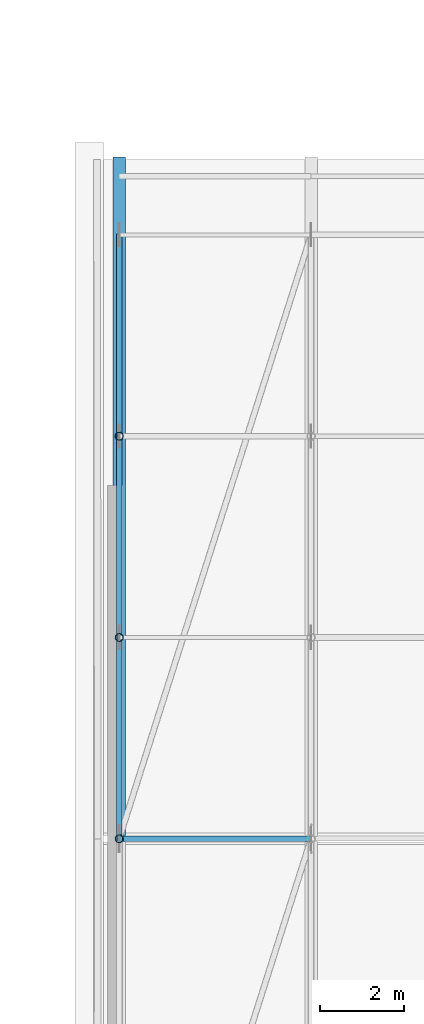
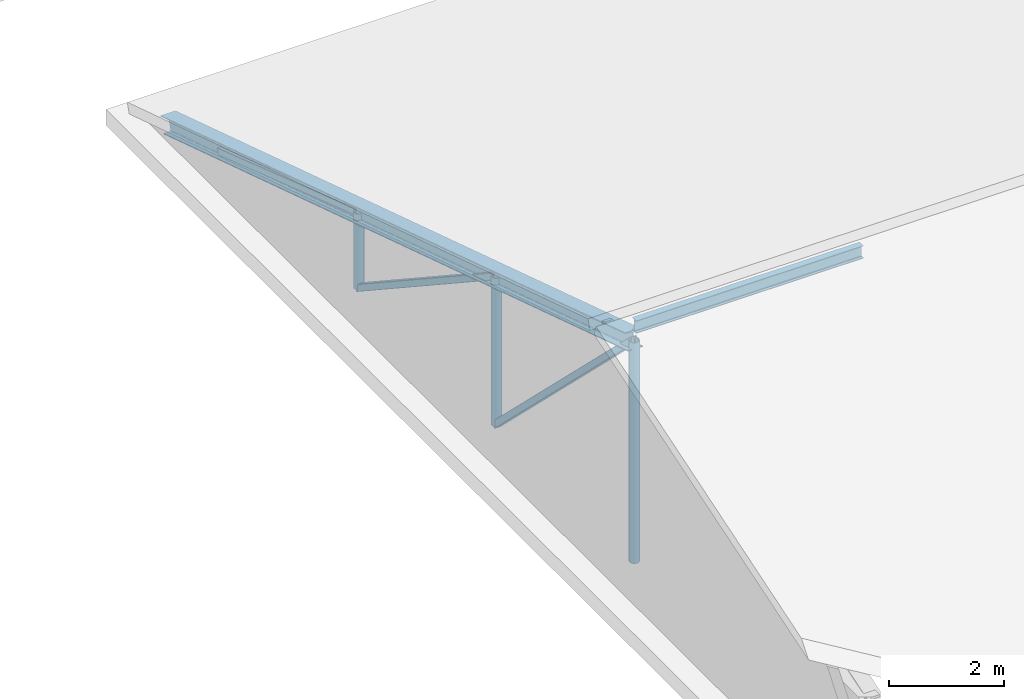
# One storey, part 23 of 134: 8 members.
"""IFC4 building model written with IfcOpenShell, lengths in metres."""

import ifcopenshell
import ifcopenshell.guid

model = None  # the IFC model being written
_history = None  # IfcOwnerHistory: only IFC2X3 demands one
_inside = {}  # id of a spatial element -> (the spatial element, [elements in it])
_under = {}  # id of a project, library or spatial element -> (it, [spatial elements below it])
_declared = {}  # id of a project -> (the project, [libraries it declares])
_typed = {}  # id of a type object -> (the type object, [elements of that type])
_made_of = {}  # id of a material, layer set ... -> (it, [elements and type objects made of it])


def new_model(schema):
    """Start an empty IFC model of exactly this schema.

    Asked for "IFC4X3", IfcOpenShell would pick the latest addendum, in which some entities
    have other attributes; the version numbers below select the first issue.
    IFC2X3 requires an IfcOwnerHistory on every rooted entity: one is made here for all.
    """
    global model, _history
    if schema == "IFC4X3":
        model = ifcopenshell.file(schema_version=(4, 3, 0, 0))
    else:
        model = ifcopenshell.file(schema=schema)
    _inside.clear()
    _under.clear()
    _declared.clear()
    _typed.clear()
    _made_of.clear()
    _history = None
    if model.schema == "IFC2X3":
        org = make("IfcOrganization", Name="unknown")
        user = make(
            "IfcPersonAndOrganization",
            ThePerson=make("IfcPerson", FamilyName="unknown"),
            TheOrganization=org,
        )
        app = make(
            "IfcApplication",
            ApplicationDeveloper=org,
            Version="unknown",
            ApplicationFullName="unknown",
            ApplicationIdentifier="unknown",
        )
        _history = make(
            "IfcOwnerHistory",
            OwningUser=user,
            OwningApplication=app,
            ChangeAction="ADDED",
            CreationDate=0,
        )
    return model


def make(cls, **values):
    """One entity of the class cls with the attributes given. An attribute that is None is left unset."""
    return model.create_entity(
        cls, **{name: value for name, value in values.items() if value is not None}
    )


def rooted(cls, **values):
    """An entity with a GlobalId (a new one), such as an element, a storey or a relation."""
    return make(cls, GlobalId=ifcopenshell.guid.new(), OwnerHistory=_history, **values)


def si_unit(unit_type, name, prefix=None):
    """IfcSIUnit, for example si_unit("LENGTHUNIT", "METRE", prefix="MILLI")."""
    return make("IfcSIUnit", UnitType=unit_type, Prefix=prefix, Name=name)


def assignment(units):
    """IfcUnitAssignment: the units of a project."""
    return None if units is None else make("IfcUnitAssignment", Units=units)


def point(xyz):
    """IfcCartesianPoint."""
    return None if xyz is None else make("IfcCartesianPoint", Coordinates=xyz)


def direction(xyz):
    """IfcDirection."""
    return None if xyz is None else make("IfcDirection", DirectionRatios=xyz)


def frame(location, z_axis=None, x_axis=None):
    """IfcAxis2Placement3D, a coordinate frame: its origin and axes. An axis left out is left unset."""
    return make(
        "IfcAxis2Placement3D",
        Location=point(location),
        Axis=direction(z_axis),
        RefDirection=direction(x_axis),
    )


def frame_2d(location, x_axis=None):
    """IfcAxis2Placement2D, a coordinate frame in the plane: its origin and x axis."""
    return make(
        "IfcAxis2Placement2D", Location=point(location), RefDirection=direction(x_axis)
    )


def origin():
    """The frame at (0, 0, 0) with its axes left unset."""
    return frame((0.0, 0.0, 0.0))


def origin_2d():
    """The frame at (0, 0) in the plane with its x axis left unset."""
    return frame_2d((0.0, 0.0))


def place(relative_to, where):
    """IfcLocalPlacement: puts the frame where relative to a parent placement (None: the world)."""
    return make(
        "IfcLocalPlacement", PlacementRelTo=relative_to, RelativePlacement=where
    )


def context(
    kind, dimensions, precision=None, world=None, true_north=None, identifier=None
):
    """IfcGeometricRepresentationContext, for example the 3D "Model" context."""
    return make(
        "IfcGeometricRepresentationContext",
        ContextIdentifier=identifier,
        ContextType=kind,
        CoordinateSpaceDimension=dimensions,
        Precision=precision,
        WorldCoordinateSystem=world,
        TrueNorth=true_north,
    )


def subcontext(parent, identifier, kind, view, scale=None):
    """IfcGeometricRepresentationSubContext, for example "Body" below "Model"."""
    return make(
        "IfcGeometricRepresentationSubContext",
        ContextIdentifier=identifier,
        ContextType=kind,
        ParentContext=parent,
        TargetScale=scale,
        TargetView=view,
    )


def project(units=None, contexts=None):
    """IfcProject with its units and contexts."""
    return rooted(
        "IfcProject",
        Name="project",
        RepresentationContexts=contexts,
        UnitsInContext=assignment(units),
    )


def spatial(cls, under=None, at=None, **own):
    """A site, building, storey or space (cls), placed at a placement, below another one or the project."""
    s = rooted(cls, ObjectPlacement=at, **own)
    if under is not None:
        _under.setdefault(under.id(), (under, []))[1].append(s)
    return s


def profile(cls, at=None, kind="AREA", **sizes):
    """A parametric profile (cls). Its sizes go by their IFC names, for example OverallWidth=200.0."""
    return make(cls, ProfileType=kind, Position=at, **sizes)


def hollow_rectangle(**sizes):
    """IfcRectangleHollowProfileDef."""
    return profile("IfcRectangleHollowProfileDef", **sizes)


def hollow_circle(**sizes):
    """IfcCircleHollowProfileDef."""
    return profile("IfcCircleHollowProfileDef", **sizes)


def i_section(**sizes):
    """IfcIShapeProfileDef."""
    return profile("IfcIShapeProfileDef", **sizes)


def extrude(swept, where, along, depth):
    """IfcExtrudedAreaSolid: the profile swept, set in the frame where, extruded along a direction by depth."""
    return make(
        "IfcExtrudedAreaSolid",
        SweptArea=swept,
        Position=where,
        ExtrudedDirection=direction(along),
        Depth=depth,
    )


def shape(context_of_items, identifier, shape_type, items):
    """IfcShapeRepresentation: the items that make up one representation, for example the "Body"."""
    return make(
        "IfcShapeRepresentation",
        ContextOfItems=context_of_items,
        RepresentationIdentifier=identifier,
        RepresentationType=shape_type,
        Items=items,
    )


def material(Name=None, Category=None):
    """IfcMaterial."""
    return make("IfcMaterial", Name=Name, Category=Category)


def material_profile(
    of_material, cross_section, Name=None, Category=None, Priority=None
):
    """IfcMaterialProfile: a cross section and its material."""
    return make(
        "IfcMaterialProfile",
        Name=Name,
        Material=of_material,
        Profile=cross_section,
        Priority=Priority,
        Category=Category,
    )


def profile_set(profiles, Name=None, composite=None):
    """IfcMaterialProfileSet."""
    return make(
        "IfcMaterialProfileSet",
        Name=Name,
        MaterialProfiles=profiles,
        CompositeProfile=composite,
    )


def made_of(thing, what):
    """Note that an element or type object is made of a material, layer set ...; save() writes the relation."""
    if what is not None:
        _made_of.setdefault(what.id(), (what, []))[1].append(thing)
    return thing


def type_object(cls, material=None, **own):
    """A type object (cls), such as IfcWallType, which elements share."""
    return made_of(rooted(cls, **own), material)


def element(
    cls,
    number,
    at=None,
    inside=None,
    cuts=None,
    type_object=None,
    material=None,
    context=None,
    identifier="Body",
    shape_type=None,
    held_by="IfcProductDefinitionShape",
    body=None,
    shapes=None,
    **own,
):
    """One element of the class cls, such as IfcWall. Its Tag is "e" and its number.

    at: its placement. inside: the storey or other place that contains it. cuts: it is an
    opening in that element (IfcRelVoidsElement). A single representation is given by context,
    identifier, shape_type and body (its items); several are given by shapes. held_by: the class
    of the entity that holds the representations. save() writes the other relations.
    """
    e = rooted(cls, Tag="e%d" % number, ObjectPlacement=at, **own)
    if body is not None:
        shapes = [shape(context, identifier, shape_type, body)]
    if shapes is not None:
        e.Representation = make(held_by, Representations=shapes)
    if inside is not None:
        _inside.setdefault(inside.id(), (inside, []))[1].append(e)
    if cuts is not None:
        rooted(
            "IfcRelVoidsElement", RelatingBuildingElement=cuts, RelatedOpeningElement=e
        )
    if type_object is not None:
        _typed.setdefault(type_object.id(), (type_object, []))[1].append(e)
    return made_of(e, material)


def aggregate(whole, parts):
    """IfcRelAggregates: a whole, such as a stair, and the parts it consists of."""
    return rooted("IfcRelAggregates", RelatingObject=whole, RelatedObjects=parts)


def save(model, path):
    """Write the relations noted so far, then the file.

    IfcRelAggregates (storeys below a building ...), IfcRelContainedInSpatialStructure (elements
    in a storey), IfcRelDefinesByType, IfcRelAssociatesMaterial and IfcRelDeclares: one each for
    every whole, place, type object, material and project.
    """
    for whole, parts in _under.values():
        aggregate(whole, parts)
    for where, things in _inside.values():
        rooted(
            "IfcRelContainedInSpatialStructure",
            RelatedElements=things,
            RelatingStructure=where,
        )
    for kind, things in _typed.values():
        rooted("IfcRelDefinesByType", RelatedObjects=things, RelatingType=kind)
    for what, things in _made_of.values():
        rooted("IfcRelAssociatesMaterial", RelatedObjects=things, RelatingMaterial=what)
    for by, libraries in _declared.values():
        rooted("IfcRelDeclares", RelatingContext=by, RelatedDefinitions=libraries)
    model.write(path)


model = new_model("IFC4")

# Units and contexts
model_context = context("Model", 3, precision=1e-05, world=origin(), true_north=direction((0.0, 1.0)))
body_context = subcontext(model_context, "Body", "Model", "MODEL_VIEW")
ifc_project = project(units=[si_unit("LENGTHUNIT", "METRE"), si_unit("AREAUNIT", "SQUARE_METRE"), si_unit("VOLUMEUNIT", "CUBIC_METRE"), si_unit("PLANEANGLEUNIT", "RADIAN"), si_unit("MASSUNIT", "GRAM", prefix="KILO")], contexts=[model_context])

# Site, building, storey
site_placement = place(None, origin())
site = spatial("IfcSite", under=ifc_project, at=site_placement, CompositionType="ELEMENT")
building_placement = place(site_placement, origin())
building = spatial("IfcBuilding", under=site, at=building_placement, Name="Asteropetra Specialist Clinic", CompositionType="ELEMENT")
storey_placement = place(building_placement, frame((0.0, 0.0, 8.5)))
storey = spatial("IfcBuildingStorey", under=building, at=storey_placement, Name="L02", CompositionType="ELEMENT", Elevation=8.5)

# Members
ifc_material_1 = material(Name="Steel S355", Category="steel")
ifc_material_profile_1 = material_profile(ifc_material_1, hollow_rectangle(XDim=0.139892578125, YDim=0.139892578125, WallThickness=0.008056640625, InnerFilletRadius=0.008056640625, OuterFilletRadius=0.01611328125, at=origin_2d()), Name="SHS 140x140x8.0")
ifc_profile_set_1 = profile_set([ifc_material_profile_1], Name="Steel S355")
member_type_1 = type_object("IfcMemberType", Name="TR-BRC-SHS140", PredefinedType="BRACE", material=ifc_profile_set_1)
member_1_placement = place(storey_placement, frame((77.25, 48.0, 5.06689453125), z_axis=(0.0, 0.714372296444, -0.699765833743), x_axis=(-1.0, 0.0, 0.0)))
element("IfcMember", 1, at=member_1_placement, inside=storey, type_object=member_type_1, Name="Truss Web Diagonal TRV3-D01-3", PredefinedType="BRACE", context=body_context, shape_type="SweptSolid", body=[
    extrude(hollow_rectangle(XDim=0.139892578125, YDim=0.139892578125, WallThickness=0.008056640625, InnerFilletRadius=0.008056640625, OuterFilletRadius=0.01611328125, at=origin_2d()), origin(), (0.0, 0.0, 1.0), 6.71923828125),
])
member_2_placement = place(storey_placement, frame((77.25, 52.800048828125, 3.526123046875), z_axis=(0.0, 0.835160870884, -0.550005745192), x_axis=(-1.0, 0.0, 0.0)))
element("IfcMember", 2, at=member_2_placement, inside=storey, type_object=member_type_1, Name="Truss Web Diagonal TRV3-D01-4", PredefinedType="BRACE", context=body_context, shape_type="SweptSolid", body=[
    extrude(hollow_rectangle(XDim=0.139892578125, YDim=0.139892578125, WallThickness=0.008056640625, InnerFilletRadius=0.008056640625, OuterFilletRadius=0.01611328125, at=origin_2d()), origin(), (0.0, 0.0, 1.0), 5.74755859375),
])
member_3_placement = place(storey_placement, frame((77.25, 57.60009765625, 1.9853515625), z_axis=(0.0, 0.94746672286, -0.319854356034), x_axis=(-1.0, 0.0, 0.0)))
element("IfcMember", 3, at=member_3_placement, inside=storey, type_object=member_type_1, Name="Truss Web Diagonal TRV3-D01-5", PredefinedType="BRACE", context=body_context, shape_type="SweptSolid", body=[
    extrude(hollow_rectangle(XDim=0.139892578125, YDim=0.139892578125, WallThickness=0.008056640625, InnerFilletRadius=0.008056640625, OuterFilletRadius=0.01611328125, at=origin_2d()), origin(), (0.0, 0.0, 1.0), 5.06591796875),
])
ifc_material_2 = material(Name="Steel S355", Category="steel")
ifc_material_profile_2 = material_profile(ifc_material_2, i_section(OverallWidth=0.300048828125, OverallDepth=0.35009765625, WebThickness=0.010009765625, FlangeThickness=0.017578125, FilletRadius=0.027099609375, at=origin_2d()), Name="HEA 360")
ifc_profile_set_2 = profile_set([ifc_material_profile_2], Name="Steel S355")
member_type_2 = type_object("IfcMemberType", Name="TR-CHD-HEA360", PredefinedType="CHORD", material=ifc_profile_set_2)
member_4_placement = place(storey_placement, frame((77.25, 48.0, 5.06689453125), z_axis=(0.0, 0.952147182359, -0.305639891255), x_axis=(-1.0, 0.0, 0.0)))
element("IfcMember", 4, at=member_4_placement, inside=storey, type_object=member_type_2, Name="Truss North Top Chord TRV3-TCN01", PredefinedType="CHORD", context=body_context, shape_type="SweptSolid", body=[
    extrude(i_section(OverallWidth=0.300048828125, OverallDepth=0.35009765625, WebThickness=0.010009765625, FlangeThickness=0.017578125, FilletRadius=0.027099609375, at=origin_2d()), origin(), (0.0, 0.0, 1.0), 17.01416015625),
])
ifc_material_3 = material(Name="Steel S355", Category="steel")
ifc_material_profile_3 = material_profile(ifc_material_3, i_section(OverallWidth=0.135009765625, OverallDepth=0.27001953125, WebThickness=0.006591796875, FlangeThickness=0.01025390625, FilletRadius=0.014892578125, at=origin_2d()), Name="IPE 270")
ifc_profile_set_3 = profile_set([ifc_material_profile_3], Name="Steel S355")
member_type_3 = type_object("IfcMemberType", Name="TR-PUR-IPE270", PredefinedType="PURLIN", material=ifc_profile_set_3)
member_5_placement = place(storey_placement, frame((77.25, 48.0, 5.371826171875), z_axis=(1.0, 0.0, 0.0), x_axis=(0.0, 1.0, 0.0)))
element("IfcMember", 5, at=member_5_placement, inside=storey, type_object=member_type_3, Name="Roof Purlin TRV3-P01-05", PredefinedType="PURLIN", context=body_context, shape_type="SweptSolid", body=[
    extrude(i_section(OverallWidth=0.135009765625, OverallDepth=0.27001953125, WebThickness=0.006591796875, FlangeThickness=0.01025390625, FilletRadius=0.014892578125, at=origin_2d()), origin(), (0.0, 0.0, 1.0), 4.574951171875),
])
ifc_material_4 = material(Name="Steel S355", Category="steel")
ifc_material_profile_4 = material_profile(ifc_material_4, hollow_circle(Radius=0.096923828125, WallThickness=0.010009765625, at=origin_2d()), Name="CHS 193.7x10.0")
ifc_profile_set_4 = profile_set([ifc_material_profile_4], Name="Steel S355")
member_type_4 = type_object("IfcMemberType", Name="TR-STR-CHS193", PredefinedType="STRUT", material=ifc_profile_set_4)
member_6_placement = place(storey_placement, frame((77.25, 48.0, 0.364990234375), z_axis=(0.0, 0.0, 1.0), x_axis=(1.0, 0.0, 0.0)))
element("IfcMember", 6, at=member_6_placement, inside=storey, type_object=member_type_4, Name="Truss Web Strut TRV3-V01-3", PredefinedType="STRUT", context=body_context, shape_type="SweptSolid", body=[
    extrude(hollow_circle(Radius=0.096923828125, WallThickness=0.010009765625, at=origin_2d()), origin(), (0.0, 0.0, 1.0), 4.701904296875),
])
member_7_placement = place(storey_placement, frame((77.25, 52.800048828125, 0.364990234375), z_axis=(0.0, 0.0, 1.0), x_axis=(1.0, 0.0, 0.0)))
element("IfcMember", 7, at=member_7_placement, inside=storey, type_object=member_type_4, Name="Truss Web Strut TRV3-V01-4", PredefinedType="STRUT", context=body_context, shape_type="SweptSolid", body=[
    extrude(hollow_circle(Radius=0.096923828125, WallThickness=0.010009765625, at=origin_2d()), origin(), (0.0, 0.0, 1.0), 3.1611328125),
])
member_8_placement = place(storey_placement, frame((77.25, 57.60009765625, 0.364990234375), z_axis=(0.0, 0.0, 1.0), x_axis=(1.0, 0.0, 0.0)))
element("IfcMember", 8, at=member_8_placement, inside=storey, type_object=member_type_4, Name="Truss Web Strut TRV3-V01-5", PredefinedType="STRUT", context=body_context, shape_type="SweptSolid", body=[
    extrude(hollow_circle(Radius=0.096923828125, WallThickness=0.010009765625, at=origin_2d()), origin(), (0.0, 0.0, 1.0), 1.620361328125),
])

save(model, "model.ifc")
